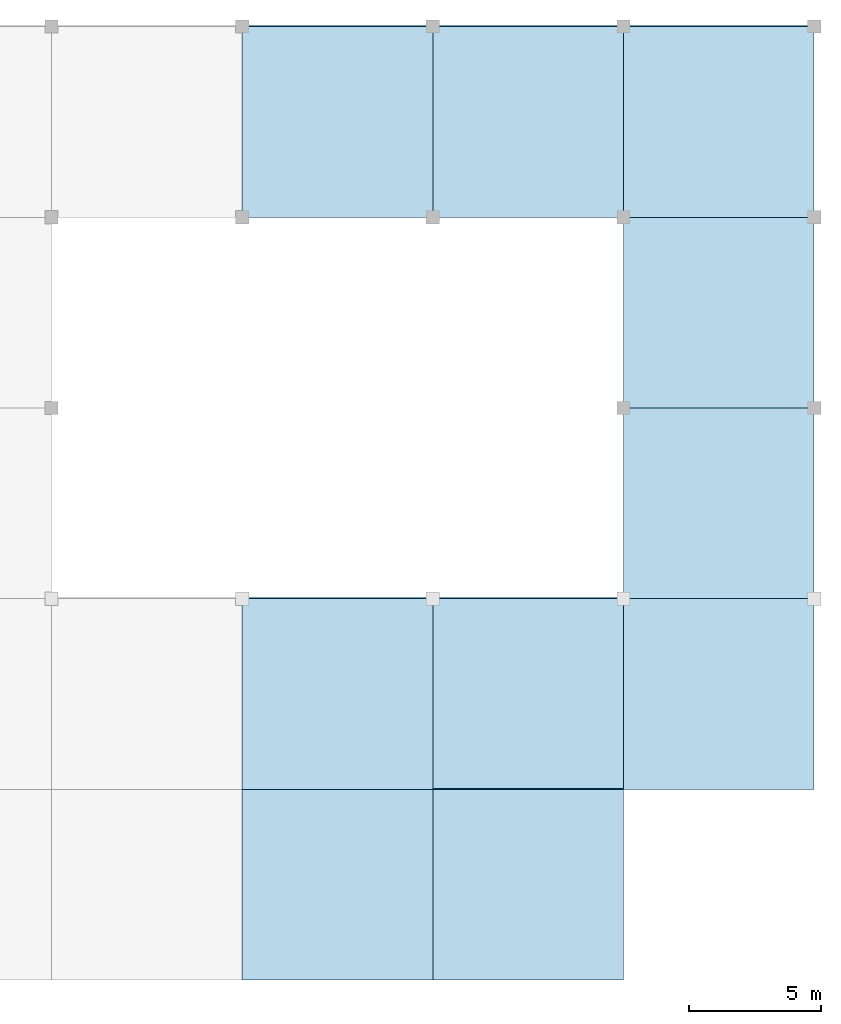
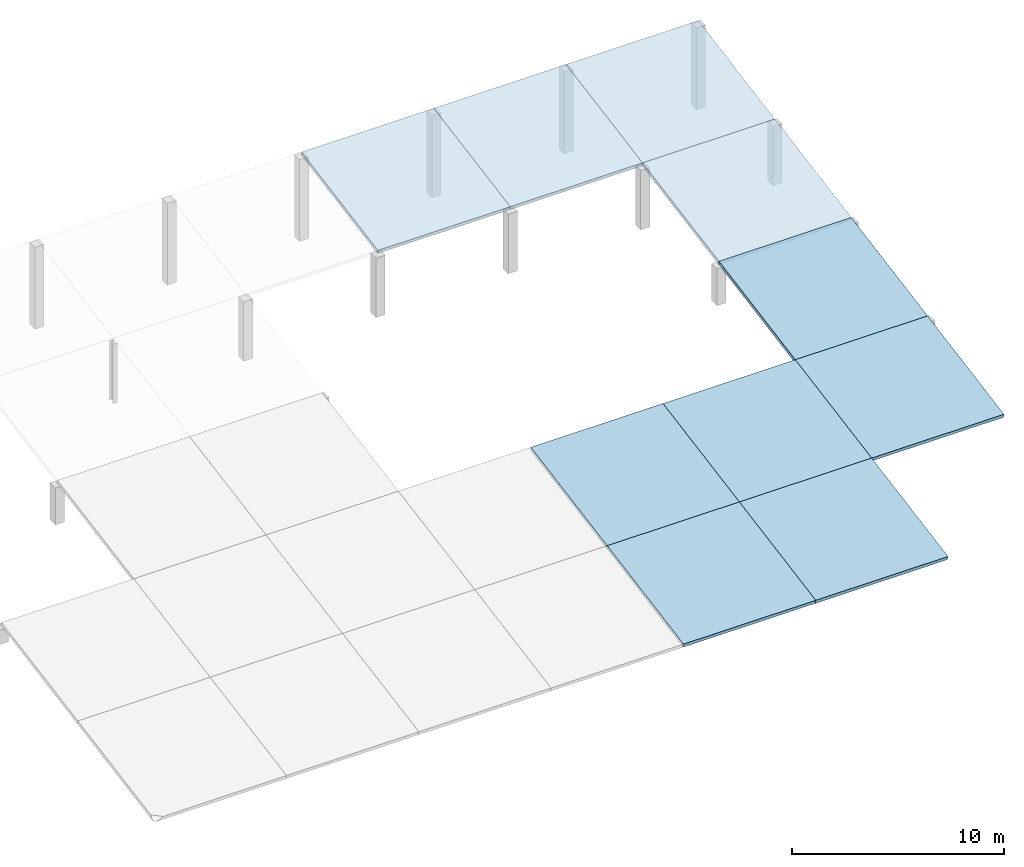
# One storey, part 4 of 4: 10 slabs.
"""IFC4 building model written with IfcOpenShell, lengths in metres."""

from ifc_helpers import new_model, si_unit, direction, frame, origin, place, context, subcontext, project, spatial, polyline, outline, extrude, material, layer, layer_set, type_object, element, save


model = new_model("IFC4")

# Units and contexts
model_context = context("Model", 3, precision=1e-05, world=origin(), true_north=direction((0.0, 1.0)))
body_context = subcontext(model_context, "Body", "Model", "MODEL_VIEW")
ifc_project = project(units=[si_unit("LENGTHUNIT", "METRE"), si_unit("AREAUNIT", "SQUARE_METRE"), si_unit("VOLUMEUNIT", "CUBIC_METRE"), si_unit("PLANEANGLEUNIT", "RADIAN"), si_unit("MASSUNIT", "GRAM", prefix="KILO")], contexts=[model_context])

# Site, building, storey
site_placement = place(None, origin())
site = spatial("IfcSite", under=ifc_project, at=site_placement, CompositionType="ELEMENT")
building_placement = place(site_placement, origin())
building = spatial("IfcBuilding", under=site, at=building_placement, Name="Sillqori Civic Hall", CompositionType="ELEMENT")
storey_placement = place(building_placement, frame((0.0, 0.0, 30.0)))
storey = spatial("IfcBuildingStorey", under=building, at=storey_placement, Name="ROOF", CompositionType="ELEMENT", Elevation=30.0)

# Slabs
ifc_material = material(Name="Concrete C30/37 (H30)", Category="concrete")
ifc_layer = layer(ifc_material, 0.199951171875)
ifc_layer_set = layer_set([ifc_layer], Name="Concrete C30/37 (H30)")
slab_type = type_object("IfcSlabType", Name="SLB-ROOF-200", PredefinedType="ROOF", material=ifc_layer_set)
slab_1_placement = place(storey_placement, frame((79.199951171875, 79.199951171875, -1.56005859375), z_axis=(0.0, -0.177173039704, 0.984179716313), x_axis=(1.0, 0.0, 0.0)))
element("IfcSlab", 1, at=slab_1_placement, inside=storey, type_object=slab_type, Name="L07 Civic Observatory pitched roof panel 11-11.1", PredefinedType="ROOF", context=body_context, shape_type="SweptSolid", body=[
    extrude(outline(polyline([(0.0, 0.0), (7.199951171875, 0.0), (7.199951171875, 7.31568742225997), (0.0, 7.31568742225997), (0.0, 0.0)])), origin(), (0.0, 0.0, -1.0), 0.199951171875),
])
slab_2_placement = place(storey_placement, frame((79.199951171875, 86.39990234375, -0.263916015625), z_axis=(0.0, -0.17713489684, 0.984186582067), x_axis=(1.0, 0.0, 0.0)))
element("IfcSlab", 2, at=slab_2_placement, inside=storey, type_object=slab_type, Name="L07 Civic Observatory pitched roof panel 11-12.1", PredefinedType="ROOF", context=body_context, shape_type="SweptSolid", body=[
    extrude(outline(polyline([(0.0, 0.0), (7.199951171875, 0.0), (7.199951171875, 7.3158844508686665), (0.0, 7.3158844508686665), (0.0, 0.0)])), origin(), (0.0, 0.0, -1.0), 0.199951171875),
])
slab_3_placement = place(storey_placement, frame((79.199951171875, 108.0, 3.6240234375), z_axis=(0.0, -0.177140714775, 0.984185534932), x_axis=(1.0, 0.0, 0.0)))
element("IfcSlab", 3, at=slab_3_placement, inside=storey, type_object=slab_type, Name="L07 Civic Observatory pitched roof panel 11-15.1", PredefinedType="ROOF", context=body_context, shape_type="SweptSolid", body=[
    extrude(outline(polyline([(0.0, 0.0), (7.199951171875, 0.0), (7.199951171875, 7.315644171069224), (0.0, 7.315644171069224), (0.0, 0.0)])), origin(), (0.0, 0.0, -1.0), 0.199951171875),
])
slab_4_placement = place(storey_placement, frame((86.39990234375, 79.199951171875, -1.56005859375), z_axis=(0.0, -0.177173039704, 0.984179716313), x_axis=(1.0, 0.0, 0.0)))
element("IfcSlab", 4, at=slab_4_placement, inside=storey, type_object=slab_type, Name="L07 Civic Observatory pitched roof panel 12-11.1", PredefinedType="ROOF", context=body_context, shape_type="SweptSolid", body=[
    extrude(outline(polyline([(0.0, 0.0), (7.2001953125, 0.0), (7.2001953125, 7.31568742225997), (0.0, 7.31568742225997), (0.0, 0.0)])), origin(), (0.0, 0.0, -1.0), 0.199951171875),
])
slab_5_placement = place(storey_placement, frame((86.39990234375, 86.39990234375, -0.263916015625), z_axis=(0.0, -0.17713489684, 0.984186582067), x_axis=(1.0, 0.0, 0.0)))
element("IfcSlab", 5, at=slab_5_placement, inside=storey, type_object=slab_type, Name="L07 Civic Observatory pitched roof panel 12-12.1", PredefinedType="ROOF", context=body_context, shape_type="SweptSolid", body=[
    extrude(outline(polyline([(0.0, 0.0), (7.2001953125, 0.0), (7.2001953125, 7.315884450868666), (0.0, 7.315884450868666), (0.0, 0.0)])), origin(), (0.0, 0.0, -1.0), 0.199951171875),
])
slab_6_placement = place(storey_placement, frame((86.39990234375, 108.0, 3.6240234375), z_axis=(0.0, -0.177140714775, 0.984185534932), x_axis=(1.0, 0.0, 0.0)))
element("IfcSlab", 6, at=slab_6_placement, inside=storey, type_object=slab_type, Name="L07 Civic Observatory pitched roof panel 12-15.1", PredefinedType="ROOF", context=body_context, shape_type="SweptSolid", body=[
    extrude(outline(polyline([(0.0, 0.0), (7.2001953125, 0.0), (7.2001953125, 7.315644171069225), (0.0, 7.315644171069225), (0.0, 0.0)])), origin(), (0.0, 0.0, -1.0), 0.199951171875),
])
slab_7_placement = place(storey_placement, frame((93.60009765625, 86.39990234375, -0.263916015625), z_axis=(0.0, -0.17713489684, 0.984186582067), x_axis=(1.0, 0.0, 0.0)))
element("IfcSlab", 7, at=slab_7_placement, inside=storey, type_object=slab_type, Name="L07 Civic Observatory pitched roof panel 13-12.1", PredefinedType="ROOF", context=body_context, shape_type="SweptSolid", body=[
    extrude(outline(polyline([(0.0, 0.0), (7.199951171875, 0.0), (7.199951171875, 7.3158844508686665), (0.0, 7.3158844508686665), (0.0, 0.0)])), origin(), (0.0, 0.0, -1.0), 0.199951171875),
])
slab_8_placement = place(storey_placement, frame((93.60009765625, 93.60009765625, 1.031982421875), z_axis=(0.0, -0.177140714775, 0.984185534932), x_axis=(1.0, 0.0, 0.0)))
element("IfcSlab", 8, at=slab_8_placement, inside=storey, type_object=slab_type, Name="L07 Civic Observatory pitched roof panel 13-13.1", PredefinedType="ROOF", context=body_context, shape_type="SweptSolid", body=[
    extrude(outline(polyline([(0.0, 0.0), (7.199951171875, 0.0), (7.199951171875, 7.315644171069224), (0.0, 7.315644171069224), (0.0, 0.0)])), origin(), (0.0, 0.0, -1.0), 0.199951171875),
])
slab_9_placement = place(storey_placement, frame((93.60009765625, 100.800048828125, 2.327880859375), z_axis=(0.0, -0.177173039704, 0.984179716313), x_axis=(1.0, 0.0, 0.0)))
element("IfcSlab", 9, at=slab_9_placement, inside=storey, type_object=slab_type, Name="L07 Civic Observatory pitched roof panel 13-14.1", PredefinedType="ROOF", context=body_context, shape_type="SweptSolid", body=[
    extrude(outline(polyline([(0.0, 0.0), (7.199951171875, 0.0), (7.199951171875, 7.31568742225997), (0.0, 7.31568742225997), (0.0, 0.0)])), origin(), (0.0, 0.0, -1.0), 0.199951171875),
])
slab_10_placement = place(storey_placement, frame((93.60009765625, 108.0, 3.6240234375), z_axis=(0.0, -0.177140714775, 0.984185534932), x_axis=(1.0, 0.0, 0.0)))
element("IfcSlab", 10, at=slab_10_placement, inside=storey, type_object=slab_type, Name="L07 Civic Observatory pitched roof panel 13-15.1", PredefinedType="ROOF", context=body_context, shape_type="SweptSolid", body=[
    extrude(outline(polyline([(0.0, 0.0), (7.199951171875, 0.0), (7.199951171875, 7.315644171069224), (0.0, 7.315644171069224), (0.0, 0.0)])), origin(), (0.0, 0.0, -1.0), 0.199951171875),
])

save(model, "model.ifc")
